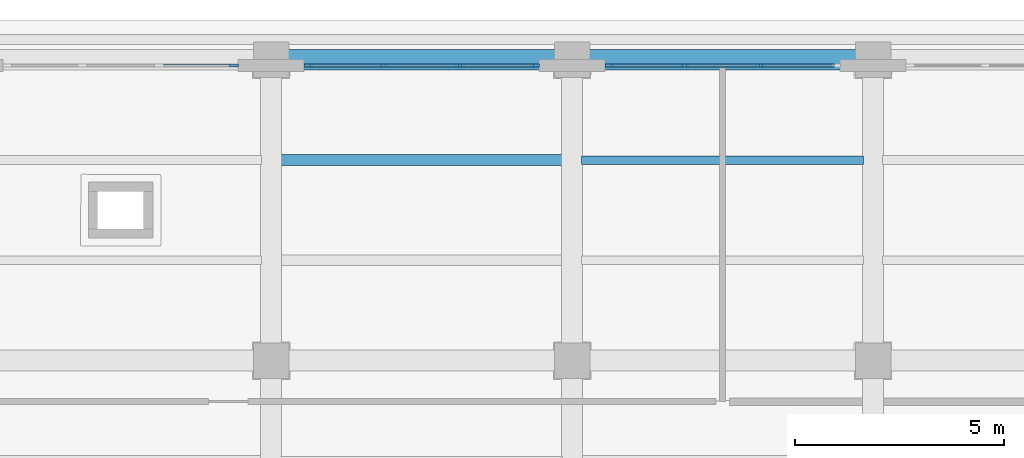
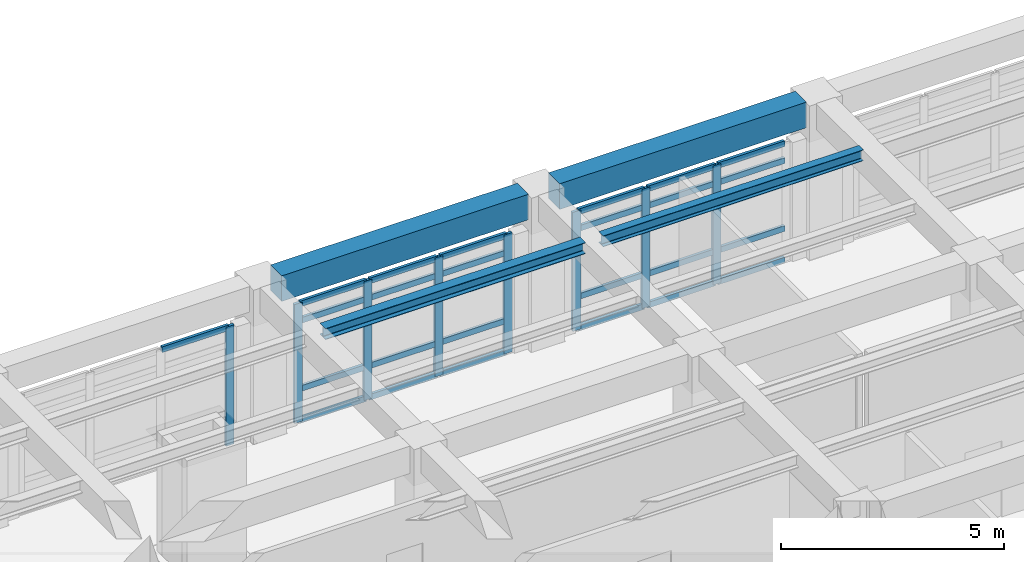
# One storey, part 27 of 69: 33 members, 4 beams, 3 elements without a shape of their own.
"""IFC4 building model written with IfcOpenShell, lengths in metres."""

import ifcopenshell
import ifcopenshell.guid

model = None  # the IFC model being written
_history = None  # IfcOwnerHistory: only IFC2X3 demands one
_inside = {}  # id of a spatial element -> (the spatial element, [elements in it])
_under = {}  # id of a project, library or spatial element -> (it, [spatial elements below it])
_declared = {}  # id of a project -> (the project, [libraries it declares])
_typed = {}  # id of a type object -> (the type object, [elements of that type])
_made_of = {}  # id of a material, layer set ... -> (it, [elements and type objects made of it])


def new_model(schema):
    """Start an empty IFC model of exactly this schema.

    Asked for "IFC4X3", IfcOpenShell would pick the latest addendum, in which some entities
    have other attributes; the version numbers below select the first issue.
    IFC2X3 requires an IfcOwnerHistory on every rooted entity: one is made here for all.
    """
    global model, _history
    if schema == "IFC4X3":
        model = ifcopenshell.file(schema_version=(4, 3, 0, 0))
    else:
        model = ifcopenshell.file(schema=schema)
    _inside.clear()
    _under.clear()
    _declared.clear()
    _typed.clear()
    _made_of.clear()
    _history = None
    if model.schema == "IFC2X3":
        org = make("IfcOrganization", Name="unknown")
        user = make(
            "IfcPersonAndOrganization",
            ThePerson=make("IfcPerson", FamilyName="unknown"),
            TheOrganization=org,
        )
        app = make(
            "IfcApplication",
            ApplicationDeveloper=org,
            Version="unknown",
            ApplicationFullName="unknown",
            ApplicationIdentifier="unknown",
        )
        _history = make(
            "IfcOwnerHistory",
            OwningUser=user,
            OwningApplication=app,
            ChangeAction="ADDED",
            CreationDate=0,
        )
    return model


def make(cls, **values):
    """One entity of the class cls with the attributes given. An attribute that is None is left unset."""
    return model.create_entity(
        cls, **{name: value for name, value in values.items() if value is not None}
    )


def rooted(cls, **values):
    """An entity with a GlobalId (a new one), such as an element, a storey or a relation."""
    return make(cls, GlobalId=ifcopenshell.guid.new(), OwnerHistory=_history, **values)


def si_unit(unit_type, name, prefix=None):
    """IfcSIUnit, for example si_unit("LENGTHUNIT", "METRE", prefix="MILLI")."""
    return make("IfcSIUnit", UnitType=unit_type, Prefix=prefix, Name=name)


def assignment(units):
    """IfcUnitAssignment: the units of a project."""
    return None if units is None else make("IfcUnitAssignment", Units=units)


def point(xyz):
    """IfcCartesianPoint."""
    return None if xyz is None else make("IfcCartesianPoint", Coordinates=xyz)


def direction(xyz):
    """IfcDirection."""
    return None if xyz is None else make("IfcDirection", DirectionRatios=xyz)


def frame(location, z_axis=None, x_axis=None):
    """IfcAxis2Placement3D, a coordinate frame: its origin and axes. An axis left out is left unset."""
    return make(
        "IfcAxis2Placement3D",
        Location=point(location),
        Axis=direction(z_axis),
        RefDirection=direction(x_axis),
    )


def frame_2d(location, x_axis=None):
    """IfcAxis2Placement2D, a coordinate frame in the plane: its origin and x axis."""
    return make(
        "IfcAxis2Placement2D", Location=point(location), RefDirection=direction(x_axis)
    )


def origin():
    """The frame at (0, 0, 0) with its axes left unset."""
    return frame((0.0, 0.0, 0.0))


def origin_2d():
    """The frame at (0, 0) in the plane with its x axis left unset."""
    return frame_2d((0.0, 0.0))


def place(relative_to, where):
    """IfcLocalPlacement: puts the frame where relative to a parent placement (None: the world)."""
    return make(
        "IfcLocalPlacement", PlacementRelTo=relative_to, RelativePlacement=where
    )


def context(
    kind, dimensions, precision=None, world=None, true_north=None, identifier=None
):
    """IfcGeometricRepresentationContext, for example the 3D "Model" context."""
    return make(
        "IfcGeometricRepresentationContext",
        ContextIdentifier=identifier,
        ContextType=kind,
        CoordinateSpaceDimension=dimensions,
        Precision=precision,
        WorldCoordinateSystem=world,
        TrueNorth=true_north,
    )


def subcontext(parent, identifier, kind, view, scale=None):
    """IfcGeometricRepresentationSubContext, for example "Body" below "Model"."""
    return make(
        "IfcGeometricRepresentationSubContext",
        ContextIdentifier=identifier,
        ContextType=kind,
        ParentContext=parent,
        TargetScale=scale,
        TargetView=view,
    )


def project(units=None, contexts=None):
    """IfcProject with its units and contexts."""
    return rooted(
        "IfcProject",
        Name="project",
        RepresentationContexts=contexts,
        UnitsInContext=assignment(units),
    )


def spatial(cls, under=None, at=None, **own):
    """A site, building, storey or space (cls), placed at a placement, below another one or the project."""
    s = rooted(cls, ObjectPlacement=at, **own)
    if under is not None:
        _under.setdefault(under.id(), (under, []))[1].append(s)
    return s


def profile(cls, at=None, kind="AREA", **sizes):
    """A parametric profile (cls). Its sizes go by their IFC names, for example OverallWidth=200.0."""
    return make(cls, ProfileType=kind, Position=at, **sizes)


def rectangle(**sizes):
    """IfcRectangleProfileDef."""
    return profile("IfcRectangleProfileDef", **sizes)


def i_section(**sizes):
    """IfcIShapeProfileDef."""
    return profile("IfcIShapeProfileDef", **sizes)


def extrude(swept, where, along, depth):
    """IfcExtrudedAreaSolid: the profile swept, set in the frame where, extruded along a direction by depth."""
    return make(
        "IfcExtrudedAreaSolid",
        SweptArea=swept,
        Position=where,
        ExtrudedDirection=direction(along),
        Depth=depth,
    )


def shape(context_of_items, identifier, shape_type, items):
    """IfcShapeRepresentation: the items that make up one representation, for example the "Body"."""
    return make(
        "IfcShapeRepresentation",
        ContextOfItems=context_of_items,
        RepresentationIdentifier=identifier,
        RepresentationType=shape_type,
        Items=items,
    )


def material(Name=None, Category=None):
    """IfcMaterial."""
    return make("IfcMaterial", Name=Name, Category=Category)


def layer(
    of_material, thickness, ventilated=None, Name=None, Category=None, Priority=None
):
    """IfcMaterialLayer: one layer of a wall or slab, of a material (None: an air gap)."""
    return make(
        "IfcMaterialLayer",
        Material=of_material,
        LayerThickness=thickness,
        IsVentilated=ventilated,
        Name=Name,
        Category=Category,
        Priority=Priority,
    )


def layer_set(layers, Name=None):
    """IfcMaterialLayerSet."""
    return make("IfcMaterialLayerSet", MaterialLayers=layers, LayerSetName=Name)


def material_profile(
    of_material, cross_section, Name=None, Category=None, Priority=None
):
    """IfcMaterialProfile: a cross section and its material."""
    return make(
        "IfcMaterialProfile",
        Name=Name,
        Material=of_material,
        Profile=cross_section,
        Priority=Priority,
        Category=Category,
    )


def profile_set(profiles, Name=None, composite=None):
    """IfcMaterialProfileSet."""
    return make(
        "IfcMaterialProfileSet",
        Name=Name,
        MaterialProfiles=profiles,
        CompositeProfile=composite,
    )


def made_of(thing, what):
    """Note that an element or type object is made of a material, layer set ...; save() writes the relation."""
    if what is not None:
        _made_of.setdefault(what.id(), (what, []))[1].append(thing)
    return thing


def type_object(cls, material=None, **own):
    """A type object (cls), such as IfcWallType, which elements share."""
    return made_of(rooted(cls, **own), material)


def element(
    cls,
    number,
    at=None,
    inside=None,
    cuts=None,
    type_object=None,
    material=None,
    context=None,
    identifier="Body",
    shape_type=None,
    held_by="IfcProductDefinitionShape",
    body=None,
    shapes=None,
    **own,
):
    """One element of the class cls, such as IfcWall. Its Tag is "e" and its number.

    at: its placement. inside: the storey or other place that contains it. cuts: it is an
    opening in that element (IfcRelVoidsElement). A single representation is given by context,
    identifier, shape_type and body (its items); several are given by shapes. held_by: the class
    of the entity that holds the representations. save() writes the other relations.
    """
    e = rooted(cls, Tag="e%d" % number, ObjectPlacement=at, **own)
    if body is not None:
        shapes = [shape(context, identifier, shape_type, body)]
    if shapes is not None:
        e.Representation = make(held_by, Representations=shapes)
    if inside is not None:
        _inside.setdefault(inside.id(), (inside, []))[1].append(e)
    if cuts is not None:
        rooted(
            "IfcRelVoidsElement", RelatingBuildingElement=cuts, RelatedOpeningElement=e
        )
    if type_object is not None:
        _typed.setdefault(type_object.id(), (type_object, []))[1].append(e)
    return made_of(e, material)


def aggregate(whole, parts):
    """IfcRelAggregates: a whole, such as a stair, and the parts it consists of."""
    return rooted("IfcRelAggregates", RelatingObject=whole, RelatedObjects=parts)


def save(model, path):
    """Write the relations noted so far, then the file.

    IfcRelAggregates (storeys below a building ...), IfcRelContainedInSpatialStructure (elements
    in a storey), IfcRelDefinesByType, IfcRelAssociatesMaterial and IfcRelDeclares: one each for
    every whole, place, type object, material and project.
    """
    for whole, parts in _under.values():
        aggregate(whole, parts)
    for where, things in _inside.values():
        rooted(
            "IfcRelContainedInSpatialStructure",
            RelatedElements=things,
            RelatingStructure=where,
        )
    for kind, things in _typed.values():
        rooted("IfcRelDefinesByType", RelatedObjects=things, RelatingType=kind)
    for what, things in _made_of.values():
        rooted("IfcRelAssociatesMaterial", RelatedObjects=things, RelatingMaterial=what)
    for by, libraries in _declared.values():
        rooted("IfcRelDeclares", RelatingContext=by, RelatedDefinitions=libraries)
    model.write(path)


model = new_model("IFC4")

# Units and contexts
model_context = context("Model", 3, precision=1e-05, world=origin(), true_north=direction((0.0, 1.0)))
body_context = subcontext(model_context, "Body", "Model", "MODEL_VIEW")
ifc_project = project(units=[si_unit("LENGTHUNIT", "METRE"), si_unit("AREAUNIT", "SQUARE_METRE"), si_unit("VOLUMEUNIT", "CUBIC_METRE"), si_unit("PLANEANGLEUNIT", "RADIAN"), si_unit("MASSUNIT", "GRAM", prefix="KILO")], contexts=[model_context])

# Site, building, storey
site_placement = place(None, origin())
site = spatial("IfcSite", under=ifc_project, at=site_placement, CompositionType="ELEMENT")
building_placement = place(site_placement, origin())
building = spatial("IfcBuilding", under=site, at=building_placement, Name="Solenvale Faculty of Natural Sciences", CompositionType="ELEMENT")
storey_placement = place(building_placement, frame((0.0, 0.0, 4.5)))
storey = spatial("IfcBuildingStorey", under=building, at=storey_placement, Name="L01", CompositionType="ELEMENT", Elevation=4.5)

# Beams
ifc_material_1 = material(Name="Precast concrete 40 MPa", Category="concrete")
ifc_material_profile_1 = material_profile(ifc_material_1, rectangle(XDim=0.5, YDim=0.699951171875, at=origin_2d()), Name="RC-BM-500x700")
ifc_profile_set_1 = profile_set([ifc_material_profile_1], Name="Precast concrete 40 MPa")
beam_type_1 = type_object("IfcBeamType", Name="BM-SPN-PRC-700", PredefinedType="SPANDREL", material=ifc_profile_set_1)
for number, where, z_axis, x_axis, name in (
    (1, (115.60498046875, 115.199951171875, 3.8701171875), (1.0, 0.0, 0.0), (0.0, 1.0, 0.0), "L01 X-Girder Y115.2 (115.2..122.4)"),
    (2, (122.804931640625, 115.199951171875, 3.8701171875), (1.0, 0.0, 0.0), (0.0, 1.0, 0.0), "L01 X-Girder Y115.2 (122.4..129.6)"),
):
    element("IfcBeam", number, at=place(storey_placement, frame(where, z_axis=z_axis, x_axis=x_axis)), inside=storey, type_object=beam_type_1, Name=name, PredefinedType="SPANDREL", context=body_context, shape_type="SweptSolid", body=[
        extrude(rectangle(XDim=0.5, YDim=0.699951171875, at=origin_2d()), origin(), (0.0, 0.0, 1.0), 6.39013671875),
    ])
ifc_material_2 = material(Name="Steel S355", Category="steel")
ifc_material_profile_2 = material_profile(ifc_material_2, i_section(OverallWidth=0.202880859375, OverallDepth=0.302978515625, WebThickness=0.007568359375, FlangeThickness=0.01318359375, FilletRadius=0.014892578125, at=origin_2d()), Name="W310x60")
ifc_profile_set_2 = profile_set([ifc_material_profile_2], Name="Steel S355")
beam_type_2 = type_object("IfcBeamType", Name="BM-STL-W310x60", PredefinedType="JOIST", material=ifc_profile_set_2)
beam_1_placement = place(storey_placement, frame((122.6298828125, 112.800048828125, 4.068603515625), z_axis=(1.0, 0.0, 0.0), x_axis=(0.0, 1.0, 0.0)))
element("IfcBeam", 3, at=beam_1_placement, inside=storey, type_object=beam_type_2, Name="L01 Composite Floor Joist (18,16).2", PredefinedType="JOIST", context=body_context, shape_type="SweptSolid", body=[
    extrude(i_section(OverallWidth=0.202880859375, OverallDepth=0.302978515625, WebThickness=0.007568359375, FlangeThickness=0.01318359375, FilletRadius=0.014892578125, at=origin_2d()), origin(), (0.0, 0.0, 1.0), 6.740234375),
])
ifc_material_profile_3 = material_profile(ifc_material_2, i_section(OverallWidth=0.25390625, OverallDepth=0.305908203125, WebThickness=0.0087890625, FlangeThickness=0.0146484375, FilletRadius=0.014892578125, at=origin_2d()), Name="W310x79")
ifc_profile_set_3 = profile_set([ifc_material_profile_3], Name="Steel S355")
beam_type_3 = type_object("IfcBeamType", Name="BM-STL-W310x79", PredefinedType="JOIST", material=ifc_profile_set_3)
beam_2_placement = place(storey_placement, frame((115.429931640625, 112.800048828125, 4.06689453125), z_axis=(1.0, 0.0, 0.0), x_axis=(0.0, 1.0, 0.0)))
element("IfcBeam", 4, at=beam_2_placement, inside=storey, type_object=beam_type_3, Name="L01 Composite Floor Joist (17,16).2", PredefinedType="JOIST", context=body_context, shape_type="SweptSolid", body=[
    extrude(i_section(OverallWidth=0.25390625, OverallDepth=0.305908203125, WebThickness=0.0087890625, FlangeThickness=0.0146484375, FilletRadius=0.014892578125, at=origin_2d()), origin(), (0.0, 0.0, 1.0), 6.739990234375),
])

# Curtain wall, members
ifc_material_3 = material(Name="Anodised bronze aluminium", Category="aluminium")
ifc_layer = layer(ifc_material_3, 0.179931640625)
ifc_layer_set = layer_set([ifc_layer], Name="Anodised bronze aluminium")
curtain_wall_type = type_object("IfcCurtainWallType", Name="CW-TWR-MOD", PredefinedType="USERDEFINED", material=ifc_layer_set)
curtain_wall_1_placement = place(storey_placement, origin())
curtain_wall_1 = element("IfcCurtainWall", 5, at=curtain_wall_1_placement, inside=storey, type_object=curtain_wall_type, Name="L01 Curtain Wall CW-L01-P2-E4-B4", ObjectType="UNITISED CURTAIN WALL", PredefinedType="USERDEFINED")
ifc_material_profile_4 = material_profile(ifc_material_3, rectangle(XDim=0.074951171875, YDim=0.2099609375, at=origin_2d()), Name="ALU-MUL-75x210")
ifc_profile_set_4 = profile_set([ifc_material_profile_4], Name="Anodised bronze aluminium")
member_type_1 = type_object("IfcMemberType", Name="CWM-ALU-75x210", PredefinedType="MULLION", material=ifc_profile_set_4)
member_1_placement = place(storey_placement, frame((126.916748046875, 115.0576171875, 0.0), z_axis=(0.0, 0.0, 1.0), x_axis=(0.0, -1.0, 0.0)))
member_1 = element("IfcMember", 6, at=member_1_placement, type_object=member_type_1, Name="CW-04 mullion 2", PredefinedType="MULLION", context=body_context, shape_type="SweptSolid", body=[
    extrude(rectangle(XDim=0.074951171875, YDim=0.2099609375, at=origin_2d()), origin(), (0.0, 0.0, 1.0), 3.260009765625),
])
member_2_placement = place(storey_placement, frame((125.083251953125, 115.0576171875, 0.0), z_axis=(0.0, 0.0, 1.0), x_axis=(0.0, -1.0, 0.0)))
member_2 = element("IfcMember", 7, at=member_2_placement, type_object=member_type_1, Name="CW-04 mullion 3", PredefinedType="MULLION", context=body_context, shape_type="SweptSolid", body=[
    extrude(rectangle(XDim=0.074951171875, YDim=0.2099609375, at=origin_2d()), origin(), (0.0, 0.0, 1.0), 3.260009765625),
])
member_3_placement = place(storey_placement, frame((123.28759765625, 115.0576171875, 0.0), z_axis=(0.0, 0.0, 1.0), x_axis=(0.0, -1.0, 0.0)))
member_3 = element("IfcMember", 8, at=member_3_placement, type_object=member_type_1, Name="CW-04 mullion 4", PredefinedType="MULLION", context=body_context, shape_type="SweptSolid", body=[
    extrude(rectangle(XDim=0.074951171875, YDim=0.2099609375, at=origin_2d()), origin(), (0.0, 0.0, 1.0), 3.260009765625),
])

curtain_wall_2_placement = place(storey_placement, origin())
curtain_wall_2 = element("IfcCurtainWall", 9, at=curtain_wall_2_placement, inside=storey, type_object=curtain_wall_type, Name="L01 Curtain Wall CW-L01-P2-E4-B5", ObjectType="UNITISED CURTAIN WALL", PredefinedType="USERDEFINED")
member_4_placement = place(storey_placement, frame((121.512451171875, 115.0576171875, 0.0), z_axis=(0.0, 0.0, 1.0), x_axis=(0.0, -1.0, 0.0)))
member_4 = element("IfcMember", 10, at=member_4_placement, type_object=member_type_1, Name="CW-04 mullion 1", PredefinedType="MULLION", context=body_context, shape_type="SweptSolid", body=[
    extrude(rectangle(XDim=0.074951171875, YDim=0.2099609375, at=origin_2d()), origin(), (0.0, 0.0, 1.0), 3.260009765625),
])
member_5_placement = place(storey_placement, frame((119.716552734375, 115.0576171875, 0.0), z_axis=(0.0, 0.0, 1.0), x_axis=(0.0, -1.0, 0.0)))
member_5 = element("IfcMember", 11, at=member_5_placement, type_object=member_type_1, Name="CW-04 mullion 2", PredefinedType="MULLION", context=body_context, shape_type="SweptSolid", body=[
    extrude(rectangle(XDim=0.074951171875, YDim=0.2099609375, at=origin_2d()), origin(), (0.0, 0.0, 1.0), 3.260009765625),
])
member_6_placement = place(storey_placement, frame((117.88330078125, 115.0576171875, 0.0), z_axis=(0.0, 0.0, 1.0), x_axis=(0.0, -1.0, 0.0)))
member_6 = element("IfcMember", 12, at=member_6_placement, type_object=member_type_1, Name="CW-04 mullion 3", PredefinedType="MULLION", context=body_context, shape_type="SweptSolid", body=[
    extrude(rectangle(XDim=0.074951171875, YDim=0.2099609375, at=origin_2d()), origin(), (0.0, 0.0, 1.0), 3.260009765625),
])
member_7_placement = place(storey_placement, frame((116.08740234375, 115.0576171875, 0.0), z_axis=(0.0, 0.0, 1.0), x_axis=(0.0, -1.0, 0.0)))
member_7 = element("IfcMember", 13, at=member_7_placement, type_object=member_type_1, Name="CW-04 mullion 4", PredefinedType="MULLION", context=body_context, shape_type="SweptSolid", body=[
    extrude(rectangle(XDim=0.074951171875, YDim=0.2099609375, at=origin_2d()), origin(), (0.0, 0.0, 1.0), 3.260009765625),
])

# Curtain wall, member
curtain_wall_3_placement = place(storey_placement, origin())
curtain_wall_3 = element("IfcCurtainWall", 14, at=curtain_wall_3_placement, inside=storey, type_object=curtain_wall_type, Name="L01 Curtain Wall CW-L01-P2-E4-B6", ObjectType="UNITISED CURTAIN WALL", PredefinedType="USERDEFINED")
member_8_placement = place(storey_placement, frame((114.3125, 115.0576171875, 0.0), z_axis=(0.0, 0.0, 1.0), x_axis=(0.0, -1.0, 0.0)))
member_8 = element("IfcMember", 15, at=member_8_placement, type_object=member_type_1, Name="CW-04 mullion 1", PredefinedType="MULLION", context=body_context, shape_type="SweptSolid", body=[
    extrude(rectangle(XDim=0.074951171875, YDim=0.2099609375, at=origin_2d()), origin(), (0.0, 0.0, 1.0), 3.260009765625),
])

# Member
ifc_material_profile_5 = material_profile(ifc_material_3, rectangle(XDim=0.074951171875, YDim=0.155029296875, at=origin_2d()), Name="ALU-TRN-75x155")
ifc_profile_set_5 = profile_set([ifc_material_profile_5], Name="Anodised bronze aluminium")
member_type_2 = type_object("IfcMemberType", Name="CWT-ALU-75x155", PredefinedType="USERDEFINED", material=ifc_profile_set_5)
member_9_placement = place(storey_placement, frame((128.675048828125, 115.0576171875, 0.03759765625), z_axis=(-1.0, 0.0, 0.0), x_axis=(0.0, -1.0, 0.0)))
member_9 = element("IfcMember", 16, at=member_9_placement, type_object=member_type_2, Name="CW-04 transom 1.1", ObjectType="TRANSOM", PredefinedType="USERDEFINED", context=body_context, shape_type="SweptSolid", body=[
    extrude(rectangle(XDim=0.074951171875, YDim=0.155029296875, at=origin_2d()), origin(), (0.0, 0.0, 1.0), 1.720947265625),
])

member_10_placement = place(storey_placement, frame((128.675048828125, 115.0576171875, 0.89990234375), z_axis=(-1.0, 0.0, 0.0), x_axis=(0.0, -1.0, 0.0)))
member_10 = element("IfcMember", 17, at=member_10_placement, type_object=member_type_2, Name="CW-04 transom 1.2", ObjectType="TRANSOM", PredefinedType="USERDEFINED", context=body_context, shape_type="SweptSolid", body=[
    extrude(rectangle(XDim=0.074951171875, YDim=0.155029296875, at=origin_2d()), origin(), (0.0, 0.0, 1.0), 1.720947265625),
])

member_11_placement = place(storey_placement, frame((128.675048828125, 115.0576171875, 2.760009765625), z_axis=(-1.0, 0.0, 0.0), x_axis=(0.0, -1.0, 0.0)))
member_11 = element("IfcMember", 18, at=member_11_placement, type_object=member_type_2, Name="CW-04 transom 1.3", ObjectType="TRANSOM", PredefinedType="USERDEFINED", context=body_context, shape_type="SweptSolid", body=[
    extrude(rectangle(XDim=0.074951171875, YDim=0.155029296875, at=origin_2d()), origin(), (0.0, 0.0, 1.0), 1.720947265625),
])

member_12_placement = place(storey_placement, frame((128.675048828125, 115.0576171875, 3.222412109375), z_axis=(-1.0, 0.0, 0.0), x_axis=(0.0, -1.0, 0.0)))
member_12 = element("IfcMember", 19, at=member_12_placement, type_object=member_type_2, Name="CW-04 transom 1.4", ObjectType="TRANSOM", PredefinedType="USERDEFINED", context=body_context, shape_type="SweptSolid", body=[
    extrude(rectangle(XDim=0.074951171875, YDim=0.155029296875, at=origin_2d()), origin(), (0.0, 0.0, 1.0), 1.720947265625),
])

member_13_placement = place(storey_placement, frame((126.879150390625, 115.0576171875, 0.03759765625), z_axis=(-1.0, 0.0, 0.0), x_axis=(0.0, -1.0, 0.0)))
member_13 = element("IfcMember", 20, at=member_13_placement, type_object=member_type_2, Name="CW-04 transom 2.1", ObjectType="TRANSOM", PredefinedType="USERDEFINED", context=body_context, shape_type="SweptSolid", body=[
    extrude(rectangle(XDim=0.074951171875, YDim=0.155029296875, at=origin_2d()), origin(), (0.0, 0.0, 1.0), 1.75830078125),
])

member_14_placement = place(storey_placement, frame((126.879150390625, 115.0576171875, 0.89990234375), z_axis=(-1.0, 0.0, 0.0), x_axis=(0.0, -1.0, 0.0)))
member_14 = element("IfcMember", 21, at=member_14_placement, type_object=member_type_2, Name="CW-04 transom 2.2", ObjectType="TRANSOM", PredefinedType="USERDEFINED", context=body_context, shape_type="SweptSolid", body=[
    extrude(rectangle(XDim=0.074951171875, YDim=0.155029296875, at=origin_2d()), origin(), (0.0, 0.0, 1.0), 1.75830078125),
])

member_15_placement = place(storey_placement, frame((126.879150390625, 115.0576171875, 2.760009765625), z_axis=(-1.0, 0.0, 0.0), x_axis=(0.0, -1.0, 0.0)))
member_15 = element("IfcMember", 22, at=member_15_placement, type_object=member_type_2, Name="CW-04 transom 2.3", ObjectType="TRANSOM", PredefinedType="USERDEFINED", context=body_context, shape_type="SweptSolid", body=[
    extrude(rectangle(XDim=0.074951171875, YDim=0.155029296875, at=origin_2d()), origin(), (0.0, 0.0, 1.0), 1.75830078125),
])

member_16_placement = place(storey_placement, frame((126.879150390625, 115.0576171875, 3.222412109375), z_axis=(-1.0, 0.0, 0.0), x_axis=(0.0, -1.0, 0.0)))
member_16 = element("IfcMember", 23, at=member_16_placement, type_object=member_type_2, Name="CW-04 transom 2.4", ObjectType="TRANSOM", PredefinedType="USERDEFINED", context=body_context, shape_type="SweptSolid", body=[
    extrude(rectangle(XDim=0.074951171875, YDim=0.155029296875, at=origin_2d()), origin(), (0.0, 0.0, 1.0), 1.75830078125),
])

member_17_placement = place(storey_placement, frame((125.0458984375, 115.0576171875, 0.03759765625), z_axis=(-1.0, 0.0, 0.0), x_axis=(0.0, -1.0, 0.0)))
member_17 = element("IfcMember", 24, at=member_17_placement, type_object=member_type_2, Name="CW-04 transom 3.1", ObjectType="TRANSOM", PredefinedType="USERDEFINED", context=body_context, shape_type="SweptSolid", body=[
    extrude(rectangle(XDim=0.074951171875, YDim=0.155029296875, at=origin_2d()), origin(), (0.0, 0.0, 1.0), 1.720947265625),
])

member_18_placement = place(storey_placement, frame((125.0458984375, 115.0576171875, 0.89990234375), z_axis=(-1.0, 0.0, 0.0), x_axis=(0.0, -1.0, 0.0)))
member_18 = element("IfcMember", 25, at=member_18_placement, type_object=member_type_2, Name="CW-04 transom 3.2", ObjectType="TRANSOM", PredefinedType="USERDEFINED", context=body_context, shape_type="SweptSolid", body=[
    extrude(rectangle(XDim=0.074951171875, YDim=0.155029296875, at=origin_2d()), origin(), (0.0, 0.0, 1.0), 1.720947265625),
])

member_19_placement = place(storey_placement, frame((125.0458984375, 115.0576171875, 2.760009765625), z_axis=(-1.0, 0.0, 0.0), x_axis=(0.0, -1.0, 0.0)))
member_19 = element("IfcMember", 26, at=member_19_placement, type_object=member_type_2, Name="CW-04 transom 3.3", ObjectType="TRANSOM", PredefinedType="USERDEFINED", context=body_context, shape_type="SweptSolid", body=[
    extrude(rectangle(XDim=0.074951171875, YDim=0.155029296875, at=origin_2d()), origin(), (0.0, 0.0, 1.0), 1.720947265625),
])

member_20_placement = place(storey_placement, frame((125.0458984375, 115.0576171875, 3.222412109375), z_axis=(-1.0, 0.0, 0.0), x_axis=(0.0, -1.0, 0.0)))
member_20 = element("IfcMember", 27, at=member_20_placement, type_object=member_type_2, Name="CW-04 transom 3.4", ObjectType="TRANSOM", PredefinedType="USERDEFINED", context=body_context, shape_type="SweptSolid", body=[
    extrude(rectangle(XDim=0.074951171875, YDim=0.155029296875, at=origin_2d()), origin(), (0.0, 0.0, 1.0), 1.720947265625),
])

aggregate(curtain_wall_1, [member_1, member_2, member_3, member_9, member_10, member_11, member_12, member_13, member_14, member_15, member_16, member_17, member_18, member_19, member_20])

member_21_placement = place(storey_placement, frame((121.47509765625, 115.0576171875, 0.03759765625), z_axis=(-1.0, 0.0, 0.0), x_axis=(0.0, -1.0, 0.0)))
member_21 = element("IfcMember", 28, at=member_21_placement, type_object=member_type_2, Name="CW-04 transom 1.1", ObjectType="TRANSOM", PredefinedType="USERDEFINED", context=body_context, shape_type="SweptSolid", body=[
    extrude(rectangle(XDim=0.074951171875, YDim=0.155029296875, at=origin_2d()), origin(), (0.0, 0.0, 1.0), 1.720947265625),
])

member_22_placement = place(storey_placement, frame((121.47509765625, 115.0576171875, 0.89990234375), z_axis=(-1.0, 0.0, 0.0), x_axis=(0.0, -1.0, 0.0)))
member_22 = element("IfcMember", 29, at=member_22_placement, type_object=member_type_2, Name="CW-04 transom 1.2", ObjectType="TRANSOM", PredefinedType="USERDEFINED", context=body_context, shape_type="SweptSolid", body=[
    extrude(rectangle(XDim=0.074951171875, YDim=0.155029296875, at=origin_2d()), origin(), (0.0, 0.0, 1.0), 1.720947265625),
])

member_23_placement = place(storey_placement, frame((121.47509765625, 115.0576171875, 2.760009765625), z_axis=(-1.0, 0.0, 0.0), x_axis=(0.0, -1.0, 0.0)))
member_23 = element("IfcMember", 30, at=member_23_placement, type_object=member_type_2, Name="CW-04 transom 1.3", ObjectType="TRANSOM", PredefinedType="USERDEFINED", context=body_context, shape_type="SweptSolid", body=[
    extrude(rectangle(XDim=0.074951171875, YDim=0.155029296875, at=origin_2d()), origin(), (0.0, 0.0, 1.0), 1.720947265625),
])

member_24_placement = place(storey_placement, frame((121.47509765625, 115.0576171875, 3.222412109375), z_axis=(-1.0, 0.0, 0.0), x_axis=(0.0, -1.0, 0.0)))
member_24 = element("IfcMember", 31, at=member_24_placement, type_object=member_type_2, Name="CW-04 transom 1.4", ObjectType="TRANSOM", PredefinedType="USERDEFINED", context=body_context, shape_type="SweptSolid", body=[
    extrude(rectangle(XDim=0.074951171875, YDim=0.155029296875, at=origin_2d()), origin(), (0.0, 0.0, 1.0), 1.720947265625),
])

member_25_placement = place(storey_placement, frame((119.67919921875, 115.0576171875, 0.03759765625), z_axis=(-1.0, 0.0, 0.0), x_axis=(0.0, -1.0, 0.0)))
member_25 = element("IfcMember", 32, at=member_25_placement, type_object=member_type_2, Name="CW-04 transom 2.1", ObjectType="TRANSOM", PredefinedType="USERDEFINED", context=body_context, shape_type="SweptSolid", body=[
    extrude(rectangle(XDim=0.074951171875, YDim=0.155029296875, at=origin_2d()), origin(), (0.0, 0.0, 1.0), 1.75830078125),
])

member_26_placement = place(storey_placement, frame((119.67919921875, 115.0576171875, 0.89990234375), z_axis=(-1.0, 0.0, 0.0), x_axis=(0.0, -1.0, 0.0)))
member_26 = element("IfcMember", 33, at=member_26_placement, type_object=member_type_2, Name="CW-04 transom 2.2", ObjectType="TRANSOM", PredefinedType="USERDEFINED", context=body_context, shape_type="SweptSolid", body=[
    extrude(rectangle(XDim=0.074951171875, YDim=0.155029296875, at=origin_2d()), origin(), (0.0, 0.0, 1.0), 1.75830078125),
])

member_27_placement = place(storey_placement, frame((119.67919921875, 115.0576171875, 2.760009765625), z_axis=(-1.0, 0.0, 0.0), x_axis=(0.0, -1.0, 0.0)))
member_27 = element("IfcMember", 34, at=member_27_placement, type_object=member_type_2, Name="CW-04 transom 2.3", ObjectType="TRANSOM", PredefinedType="USERDEFINED", context=body_context, shape_type="SweptSolid", body=[
    extrude(rectangle(XDim=0.074951171875, YDim=0.155029296875, at=origin_2d()), origin(), (0.0, 0.0, 1.0), 1.75830078125),
])

member_28_placement = place(storey_placement, frame((119.67919921875, 115.0576171875, 3.222412109375), z_axis=(-1.0, 0.0, 0.0), x_axis=(0.0, -1.0, 0.0)))
member_28 = element("IfcMember", 35, at=member_28_placement, type_object=member_type_2, Name="CW-04 transom 2.4", ObjectType="TRANSOM", PredefinedType="USERDEFINED", context=body_context, shape_type="SweptSolid", body=[
    extrude(rectangle(XDim=0.074951171875, YDim=0.155029296875, at=origin_2d()), origin(), (0.0, 0.0, 1.0), 1.75830078125),
])

member_29_placement = place(storey_placement, frame((117.845947265625, 115.0576171875, 0.03759765625), z_axis=(-1.0, 0.0, 0.0), x_axis=(0.0, -1.0, 0.0)))
member_29 = element("IfcMember", 36, at=member_29_placement, type_object=member_type_2, Name="CW-04 transom 3.1", ObjectType="TRANSOM", PredefinedType="USERDEFINED", context=body_context, shape_type="SweptSolid", body=[
    extrude(rectangle(XDim=0.074951171875, YDim=0.155029296875, at=origin_2d()), origin(), (0.0, 0.0, 1.0), 1.720947265625),
])

member_30_placement = place(storey_placement, frame((117.845947265625, 115.0576171875, 0.89990234375), z_axis=(-1.0, 0.0, 0.0), x_axis=(0.0, -1.0, 0.0)))
member_30 = element("IfcMember", 37, at=member_30_placement, type_object=member_type_2, Name="CW-04 transom 3.2", ObjectType="TRANSOM", PredefinedType="USERDEFINED", context=body_context, shape_type="SweptSolid", body=[
    extrude(rectangle(XDim=0.074951171875, YDim=0.155029296875, at=origin_2d()), origin(), (0.0, 0.0, 1.0), 1.720947265625),
])

member_31_placement = place(storey_placement, frame((117.845947265625, 115.0576171875, 2.760009765625), z_axis=(-1.0, 0.0, 0.0), x_axis=(0.0, -1.0, 0.0)))
member_31 = element("IfcMember", 38, at=member_31_placement, type_object=member_type_2, Name="CW-04 transom 3.3", ObjectType="TRANSOM", PredefinedType="USERDEFINED", context=body_context, shape_type="SweptSolid", body=[
    extrude(rectangle(XDim=0.074951171875, YDim=0.155029296875, at=origin_2d()), origin(), (0.0, 0.0, 1.0), 1.720947265625),
])

member_32_placement = place(storey_placement, frame((117.845947265625, 115.0576171875, 3.222412109375), z_axis=(-1.0, 0.0, 0.0), x_axis=(0.0, -1.0, 0.0)))
member_32 = element("IfcMember", 39, at=member_32_placement, type_object=member_type_2, Name="CW-04 transom 3.4", ObjectType="TRANSOM", PredefinedType="USERDEFINED", context=body_context, shape_type="SweptSolid", body=[
    extrude(rectangle(XDim=0.074951171875, YDim=0.155029296875, at=origin_2d()), origin(), (0.0, 0.0, 1.0), 1.720947265625),
])

aggregate(curtain_wall_2, [member_4, member_5, member_6, member_7, member_21, member_22, member_23, member_24, member_25, member_26, member_27, member_28, member_29, member_30, member_31, member_32])

member_33_placement = place(storey_placement, frame((114.27490234375, 115.0576171875, 3.222412109375), z_axis=(-1.0, 0.0, 0.0), x_axis=(0.0, -1.0, 0.0)))
member_33 = element("IfcMember", 40, at=member_33_placement, type_object=member_type_2, Name="CW-04 transom 1.4", ObjectType="TRANSOM", PredefinedType="USERDEFINED", context=body_context, shape_type="SweptSolid", body=[
    extrude(rectangle(XDim=0.074951171875, YDim=0.155029296875, at=origin_2d()), origin(), (0.0, 0.0, 1.0), 1.720703125),
])

aggregate(curtain_wall_3, [member_8, member_33])

save(model, "model.ifc")
